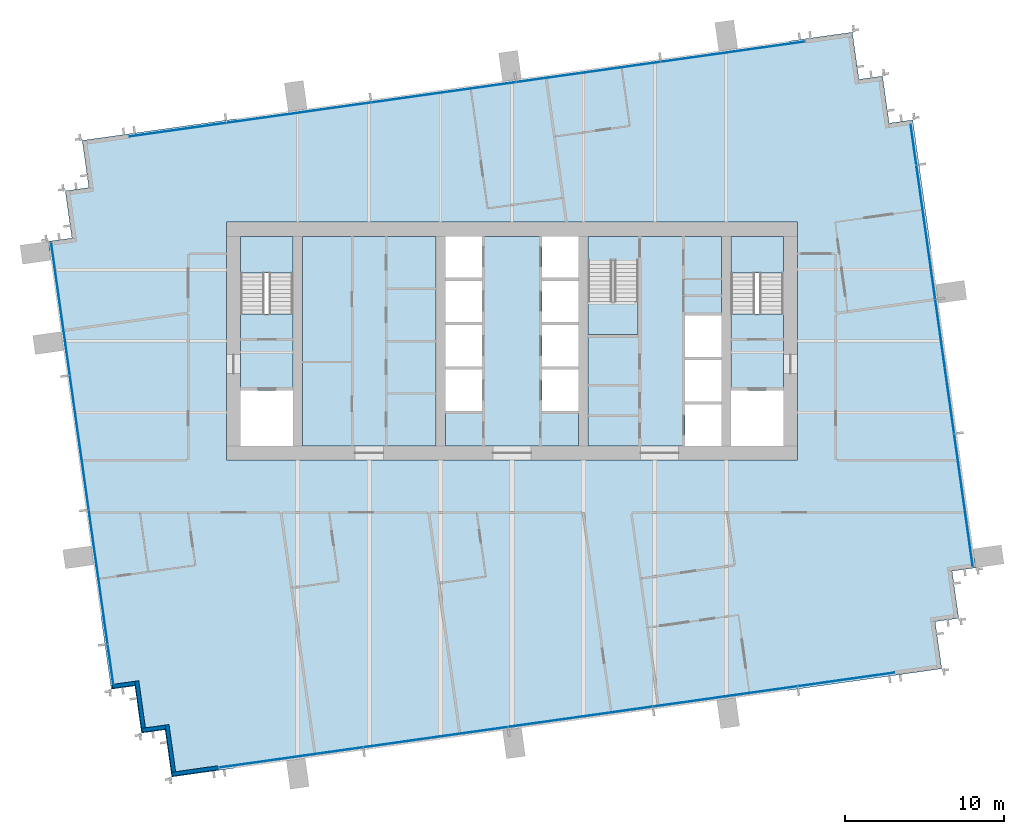
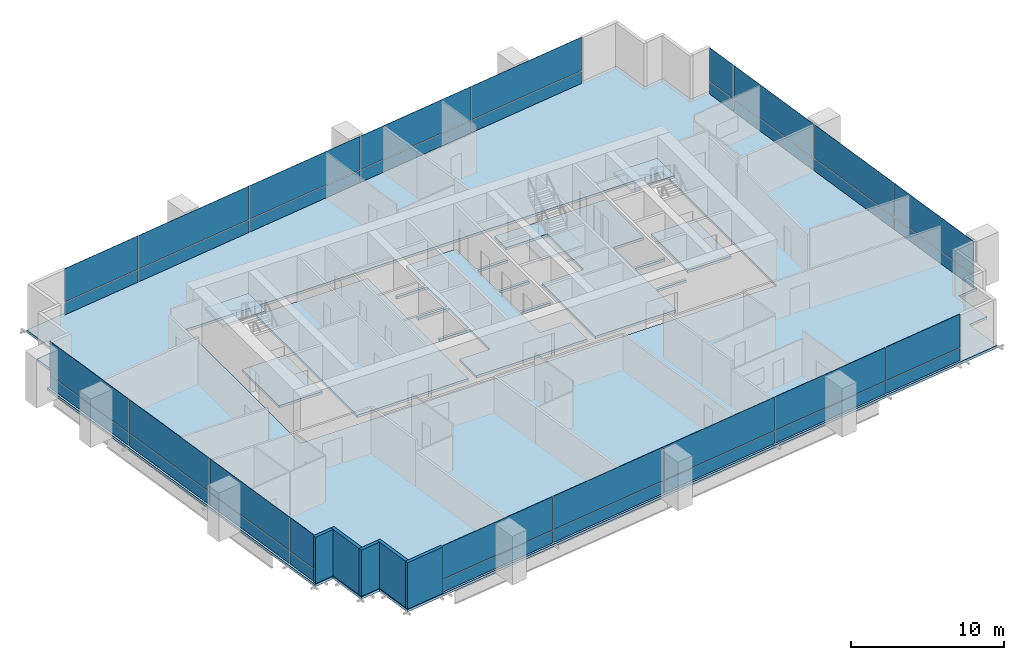
# One storey, part 8 of 14: 36 plates, 9 slabs, 5 walls, 7 elements without a shape of their own.
"""IFC4 building model written with IfcOpenShell, lengths in metres."""

from ifc_helpers import new_model, si_unit, direction, frame, frame_2d, origin, origin_2d, place, context, subcontext, project, spatial, polyline, rectangle, outline, extrude, material, layer, layer_set, type_object, element, aggregate, save


model = new_model("IFC4")

# Units and contexts
model_context = context("Model", 3, precision=1e-05, world=origin(), true_north=direction((0.0, 1.0)))
body_context = subcontext(model_context, "Body", "Model", "MODEL_VIEW")
ifc_project = project(units=[si_unit("LENGTHUNIT", "METRE"), si_unit("AREAUNIT", "SQUARE_METRE"), si_unit("VOLUMEUNIT", "CUBIC_METRE"), si_unit("PLANEANGLEUNIT", "RADIAN"), si_unit("MASSUNIT", "GRAM", prefix="KILO")], contexts=[model_context])

# Site, building, storey
site_placement = place(None, origin())
site = spatial("IfcSite", under=ifc_project, at=site_placement, CompositionType="ELEMENT")
building_placement = place(site_placement, origin())
building = spatial("IfcBuilding", under=site, at=building_placement, Name="Rattan Terrace Tower", CompositionType="ELEMENT")
storey_placement = place(building_placement, frame((0.0, 0.0, 195.800048828125)))
storey = spatial("IfcBuildingStorey", under=building, at=storey_placement, Name="L45", CompositionType="ELEMENT", Elevation=195.800048828125)

# Stair, slab
ifc_material_1 = material(Name="Concrete C40/50", Category="concrete")
stair_type = type_object("IfcStairType", Name="Core exit stair 1500", PredefinedType="HALF_TURN_STAIR", material=ifc_material_1)
stair_1_placement = place(storey_placement, origin())
stair_1 = element("IfcStair", 1, at=stair_1_placement, inside=storey, type_object=stair_type, Name="L45 exit stair 1", PredefinedType="HALF_TURN_STAIR")
ifc_material_2 = material(Name="Concrete C40/50", Category="concrete")
ifc_layer_1 = layer(ifc_material_2, 0.199951171875)
ifc_layer_set_1 = layer_set([ifc_layer_1], Name="Core exit stair landing")
slab_type_1 = type_object("IfcSlabType", Name="Core exit stair landing", PredefinedType="LANDING", material=ifc_layer_set_1)
slab_1_placement = place(storey_placement, frame((0.0, 0.0, 1.75)))
slab_1 = element("IfcSlab", 2, at=slab_1_placement, type_object=slab_type_1, Name="S1 landing 1", PredefinedType="LANDING", context=body_context, shape_type="SweptSolid", body=[
    extrude(outline(polyline([(-13.800048828125, 4.300048828125), (-13.800048828125, 6.60009765625), (-17.10009765625, 6.60009765625), (-17.10009765625, 4.300048828125), (-13.800048828125, 4.300048828125)])), origin(), (0.0, 0.0, 1.0), 0.199951171875),
])
aggregate(stair_1, [slab_1])

stair_2_placement = place(storey_placement, origin())
stair_2 = element("IfcStair", 3, at=stair_2_placement, inside=storey, type_object=stair_type, Name="L45 exit stair 2", PredefinedType="HALF_TURN_STAIR")
slab_2_placement = place(storey_placement, frame((0.0, 0.0, 1.75)))
slab_2 = element("IfcSlab", 4, at=slab_2_placement, type_object=slab_type_1, Name="S2 landing 1", PredefinedType="LANDING", context=body_context, shape_type="SweptSolid", body=[
    extrude(outline(polyline([(17.10009765625, 4.300048828125), (17.10009765625, 6.60009765625), (13.800048828125, 6.60009765625), (13.800048828125, 4.300048828125), (17.10009765625, 4.300048828125)])), origin(), (0.0, 0.0, 1.0), 0.199951171875),
])
aggregate(stair_2, [slab_2])

stair_3_placement = place(storey_placement, origin())
stair_3 = element("IfcStair", 5, at=stair_3_placement, inside=storey, type_object=stair_type, Name="L45 exit stair 3", PredefinedType="HALF_TURN_STAIR")
slab_3_placement = place(storey_placement, frame((0.0, 0.0, 1.75)))
slab_3 = element("IfcSlab", 6, at=slab_3_placement, type_object=slab_type_1, Name="S3 landing 1", PredefinedType="LANDING", context=body_context, shape_type="SweptSolid", body=[
    extrude(outline(polyline([(4.800048828125, 2.5), (4.800048828125, 0.39990234375), (7.949951171875, 0.39990234375), (7.949951171875, 2.5), (4.800048828125, 2.5)])), origin(), (0.0, 0.0, 1.0), 0.199951171875),
])
aggregate(stair_3, [slab_3])

# Curtain wall, plates
ifc_material_3 = material(Name="Aluminium and glass", Category="aluminium")
curtain_wall_type = type_object("IfcCurtainWallType", Name="Facade Unitised Curtain Wall", PredefinedType="NOTDEFINED", material=ifc_material_3)
curtain_wall_1_placement = place(storey_placement, origin())
curtain_wall_1 = element("IfcCurtainWall", 7, at=curtain_wall_1_placement, inside=storey, type_object=curtain_wall_type, Name="Curtain wall L45-1", PredefinedType="NOTDEFINED")
ifc_material_4 = material(Name="Aluminium insulated spandrel panel", Category="aluminium")
ifc_layer_2 = layer(ifc_material_4, 0.028076171875)
ifc_layer_set_2 = layer_set([ifc_layer_2], Name="Facade CW Spandrel Panel")
plate_type_1 = type_object("IfcPlateType", Name="Facade CW Spandrel Panel", PredefinedType="CURTAIN_PANEL", material=ifc_layer_set_2)
plate_1_placement = place(storey_placement, frame((28.447509765625, -10.037109375, 0.0), z_axis=(0.0, 0.0, 1.0), x_axis=(-0.139190856006, 0.99026557327, 0.0)))
plate_1 = element("IfcPlate", 8, at=plate_1_placement, type_object=plate_type_1, Name="Panel cwl-L45-001.1.1", PredefinedType="CURTAIN_PANEL", context=body_context, shape_type="SweptSolid", body=[
    extrude(rectangle(XDim=8.4150390625, YDim=0.028076171875, at=origin_2d()), origin(), (0.0, 0.0, 1.0), 0.969970703125),
])
plate_2_placement = place(storey_placement, frame((27.262451171875, -1.607421875, 0.0), z_axis=(0.0, 0.0, 1.0), x_axis=(-0.139190856006, 0.99026557327, 0.0)))
plate_2 = element("IfcPlate", 9, at=plate_2_placement, type_object=plate_type_1, Name="Panel cwl-L45-001.2.1", PredefinedType="CURTAIN_PANEL", context=body_context, shape_type="SweptSolid", body=[
    extrude(rectangle(XDim=8.489990234375, YDim=0.028076171875, at=origin_2d()), origin(), (0.0, 0.0, 1.0), 0.969970703125),
])
plate_3_placement = place(storey_placement, frame((26.072509765625, 6.859375, 0.0), z_axis=(0.0, 0.0, 1.0), x_axis=(-0.139190856006, 0.99026557327, 0.0)))
plate_3 = element("IfcPlate", 10, at=plate_3_placement, type_object=plate_type_1, Name="Panel cwl-L45-001.3.1", PredefinedType="CURTAIN_PANEL", context=body_context, shape_type="SweptSolid", body=[
    extrude(rectangle(XDim=8.489990234375, YDim=0.028076171875, at=origin_2d()), origin(), (0.0, 0.0, 1.0), 0.969970703125),
])
plate_4_placement = place(storey_placement, frame((25.29736328125, 12.372802734375, 0.0), z_axis=(0.0, 0.0, 1.0), x_axis=(-0.139190856006, 0.99026557327, 0.0)))
plate_4 = element("IfcPlate", 11, at=plate_4_placement, type_object=plate_type_1, Name="Panel cwl-L45-001.4.1", PredefinedType="CURTAIN_PANEL", context=body_context, shape_type="SweptSolid", body=[
    extrude(rectangle(XDim=2.525390625, YDim=0.028076171875, at=origin_2d()), origin(), (0.0, 0.0, 1.0), 0.969970703125),
])

curtain_wall_2_placement = place(storey_placement, origin())
curtain_wall_2 = element("IfcCurtainWall", 12, at=curtain_wall_2_placement, inside=storey, type_object=curtain_wall_type, Name="Curtain wall L45-2", PredefinedType="NOTDEFINED")
plate_5_placement = place(storey_placement, frame((13.920166015625, 18.233642578125, 0.0), z_axis=(0.0, 0.0, 1.0), x_axis=(-0.990269702686, -0.139161474347, 0.0)))
plate_5 = element("IfcPlate", 13, at=plate_5_placement, type_object=plate_type_1, Name="Panel cwl-L45-002.1.1", PredefinedType="CURTAIN_PANEL", context=body_context, shape_type="SweptSolid", body=[
    extrude(rectangle(XDim=9.123046875, YDim=0.028076171875, at=origin_2d()), origin(), (0.0, 0.0, 1.0), 0.969970703125),
])
plate_6_placement = place(storey_placement, frame((4.8115234375, 16.95361328125, 0.0), z_axis=(0.0, 0.0, 1.0), x_axis=(-0.990269702686, -0.139161474347, 0.0)))
plate_6 = element("IfcPlate", 14, at=plate_6_placement, type_object=plate_type_1, Name="Panel cwl-L45-002.2.1", PredefinedType="CURTAIN_PANEL", context=body_context, shape_type="SweptSolid", body=[
    extrude(rectangle(XDim=9.153076171875, YDim=0.028076171875, at=origin_2d()), origin(), (0.0, 0.0, 1.0), 0.969970703125),
])
plate_7_placement = place(storey_placement, frame((-4.311767578125, 15.67138671875, 0.0), z_axis=(0.0, 0.0, 1.0), x_axis=(-0.990269702686, -0.139161474347, 0.0)))
plate_7 = element("IfcPlate", 15, at=plate_7_placement, type_object=plate_type_1, Name="Panel cwl-L45-002.3.1", PredefinedType="CURTAIN_PANEL", context=body_context, shape_type="SweptSolid", body=[
    extrude(rectangle(XDim=9.153076171875, YDim=0.028076171875, at=origin_2d()), origin(), (0.0, 0.0, 1.0), 0.969970703125),
])
plate_8_placement = place(storey_placement, frame((-13.43505859375, 14.389404296875, 0.0), z_axis=(0.0, 0.0, 1.0), x_axis=(-0.990269702686, -0.139161474347, 0.0)))
plate_8 = element("IfcPlate", 16, at=plate_8_placement, type_object=plate_type_1, Name="Panel cwl-L45-002.4.1", PredefinedType="CURTAIN_PANEL", context=body_context, shape_type="SweptSolid", body=[
    extrude(rectangle(XDim=9.153076171875, YDim=0.028076171875, at=origin_2d()), origin(), (0.0, 0.0, 1.0), 0.969970703125),
])
plate_9_placement = place(storey_placement, frame((-21.055908203125, 13.318359375, 0.0), z_axis=(0.0, 0.0, 1.0), x_axis=(-0.990269702686, -0.139161474347, 0.0)))
plate_9 = element("IfcPlate", 17, at=plate_9_placement, type_object=plate_type_1, Name="Panel cwl-L45-002.5.1", PredefinedType="CURTAIN_PANEL", context=body_context, shape_type="SweptSolid", body=[
    extrude(rectangle(XDim=6.118408203125, YDim=0.028076171875, at=origin_2d()), origin(), (0.0, 0.0, 1.0), 0.969970703125),
])

curtain_wall_3_placement = place(storey_placement, origin())
curtain_wall_3 = element("IfcCurtainWall", 18, at=curtain_wall_3_placement, inside=storey, type_object=curtain_wall_type, Name="Curtain wall L45-3", PredefinedType="NOTDEFINED")
plate_10_placement = place(storey_placement, frame((-28.447509765625, 2.037109375, 0.0), z_axis=(0.0, 0.0, 1.0), x_axis=(0.139190856006, -0.99026557327, 0.0)))
plate_10 = element("IfcPlate", 19, at=plate_10_placement, type_object=plate_type_1, Name="Panel cwl-L45-003.1.1", PredefinedType="CURTAIN_PANEL", context=body_context, shape_type="SweptSolid", body=[
    extrude(rectangle(XDim=8.4150390625, YDim=0.028076171875, at=origin_2d()), origin(), (0.0, 0.0, 1.0), 0.969970703125),
])
plate_11_placement = place(storey_placement, frame((-27.262451171875, -6.392578125, 0.0), z_axis=(0.0, 0.0, 1.0), x_axis=(0.139190856006, -0.99026557327, 0.0)))
plate_11 = element("IfcPlate", 20, at=plate_11_placement, type_object=plate_type_1, Name="Panel cwl-L45-003.2.1", PredefinedType="CURTAIN_PANEL", context=body_context, shape_type="SweptSolid", body=[
    extrude(rectangle(XDim=8.489990234375, YDim=0.028076171875, at=origin_2d()), origin(), (0.0, 0.0, 1.0), 0.969970703125),
])
plate_12_placement = place(storey_placement, frame((-26.072509765625, -14.859375, 0.0), z_axis=(0.0, 0.0, 1.0), x_axis=(0.139190856006, -0.99026557327, 0.0)))
plate_12 = element("IfcPlate", 21, at=plate_12_placement, type_object=plate_type_1, Name="Panel cwl-L45-003.3.1", PredefinedType="CURTAIN_PANEL", context=body_context, shape_type="SweptSolid", body=[
    extrude(rectangle(XDim=8.489990234375, YDim=0.028076171875, at=origin_2d()), origin(), (0.0, 0.0, 1.0), 0.969970703125),
])
plate_13_placement = place(storey_placement, frame((-26.072509765625, -14.859375, 1.030029296875), z_axis=(0.0, 0.0, 1.0), x_axis=(0.139190856006, -0.99026557327, 0.0)))
plate_13 = element("IfcPlate", 22, at=plate_13_placement, type_object=plate_type_1, Name="Panel cwl-L45-003.3.2", PredefinedType="CURTAIN_PANEL", context=body_context, shape_type="SweptSolid", body=[
    extrude(rectangle(XDim=8.489990234375, YDim=0.028076171875, at=origin_2d()), origin(), (0.0, 0.0, 1.0), 2.669921875),
])
plate_14_placement = place(storey_placement, frame((-25.29736328125, -20.372802734375, 0.0), z_axis=(0.0, 0.0, 1.0), x_axis=(0.139190856006, -0.99026557327, 0.0)))
plate_14 = element("IfcPlate", 23, at=plate_14_placement, type_object=plate_type_1, Name="Panel cwl-L45-003.4.1", PredefinedType="CURTAIN_PANEL", context=body_context, shape_type="SweptSolid", body=[
    extrude(rectangle(XDim=2.525390625, YDim=0.028076171875, at=origin_2d()), origin(), (0.0, 0.0, 1.0), 0.969970703125),
])

curtain_wall_4_placement = place(storey_placement, origin())
curtain_wall_4 = element("IfcCurtainWall", 24, at=curtain_wall_4_placement, inside=storey, type_object=curtain_wall_type, Name="Curtain wall L45-4", PredefinedType="NOTDEFINED")
plate_15_placement = place(storey_placement, frame((-13.920166015625, -26.233642578125, 0.0), z_axis=(0.0, 0.0, 1.0), x_axis=(0.990269702686, 0.139161474347, 0.0)))
plate_15 = element("IfcPlate", 25, at=plate_15_placement, type_object=plate_type_1, Name="Panel cwl-L45-004.1.1", PredefinedType="CURTAIN_PANEL", context=body_context, shape_type="SweptSolid", body=[
    extrude(rectangle(XDim=9.123046875, YDim=0.028076171875, at=origin_2d()), origin(), (0.0, 0.0, 1.0), 0.969970703125),
])
plate_16_placement = place(storey_placement, frame((-4.8115234375, -24.95361328125, 0.0), z_axis=(0.0, 0.0, 1.0), x_axis=(0.990269702686, 0.139161474347, 0.0)))
plate_16 = element("IfcPlate", 26, at=plate_16_placement, type_object=plate_type_1, Name="Panel cwl-L45-004.2.1", PredefinedType="CURTAIN_PANEL", context=body_context, shape_type="SweptSolid", body=[
    extrude(rectangle(XDim=9.153076171875, YDim=0.028076171875, at=origin_2d()), origin(), (0.0, 0.0, 1.0), 0.969970703125),
])
plate_17_placement = place(storey_placement, frame((4.311767578125, -23.67138671875, 0.0), z_axis=(0.0, 0.0, 1.0), x_axis=(0.990269702686, 0.139161474347, 0.0)))
plate_17 = element("IfcPlate", 27, at=plate_17_placement, type_object=plate_type_1, Name="Panel cwl-L45-004.3.1", PredefinedType="CURTAIN_PANEL", context=body_context, shape_type="SweptSolid", body=[
    extrude(rectangle(XDim=9.153076171875, YDim=0.028076171875, at=origin_2d()), origin(), (0.0, 0.0, 1.0), 0.969970703125),
])
plate_18_placement = place(storey_placement, frame((13.43505859375, -22.389404296875, 0.0), z_axis=(0.0, 0.0, 1.0), x_axis=(0.990269702686, 0.139161474347, 0.0)))
plate_18 = element("IfcPlate", 28, at=plate_18_placement, type_object=plate_type_1, Name="Panel cwl-L45-004.4.1", PredefinedType="CURTAIN_PANEL", context=body_context, shape_type="SweptSolid", body=[
    extrude(rectangle(XDim=9.153076171875, YDim=0.028076171875, at=origin_2d()), origin(), (0.0, 0.0, 1.0), 0.969970703125),
])
plate_19_placement = place(storey_placement, frame((21.055908203125, -21.318359375, 0.0), z_axis=(0.0, 0.0, 1.0), x_axis=(0.990269702686, 0.139161474347, 0.0)))
plate_19 = element("IfcPlate", 29, at=plate_19_placement, type_object=plate_type_1, Name="Panel cwl-L45-004.5.1", PredefinedType="CURTAIN_PANEL", context=body_context, shape_type="SweptSolid", body=[
    extrude(rectangle(XDim=6.118408203125, YDim=0.028076171875, at=origin_2d()), origin(), (0.0, 0.0, 1.0), 0.969970703125),
])

# Plate
ifc_material_5 = material(Name="Clear low-iron glass", Category="glass")
ifc_layer_3 = layer(ifc_material_5, 0.028076171875)
ifc_layer_set_3 = layer_set([ifc_layer_3], Name="Facade CW Vision Panel")
plate_type_2 = type_object("IfcPlateType", Name="Facade CW Vision Panel", PredefinedType="CURTAIN_PANEL", material=ifc_layer_set_3)
plate_20_placement = place(storey_placement, frame((28.447509765625, -10.037109375, 1.030029296875), z_axis=(0.0, 0.0, 1.0), x_axis=(-0.139190856006, 0.99026557327, 0.0)))
plate_20 = element("IfcPlate", 30, at=plate_20_placement, type_object=plate_type_2, Name="Panel cwl-L45-001.1.2", PredefinedType="CURTAIN_PANEL", context=body_context, shape_type="SweptSolid", body=[
    extrude(rectangle(XDim=8.4150390625, YDim=0.028076171875, at=origin_2d()), origin(), (0.0, 0.0, 1.0), 2.669921875),
])

plate_21_placement = place(storey_placement, frame((27.262451171875, -1.607421875, 1.030029296875), z_axis=(0.0, 0.0, 1.0), x_axis=(-0.139190856006, 0.99026557327, 0.0)))
plate_21 = element("IfcPlate", 31, at=plate_21_placement, type_object=plate_type_2, Name="Panel cwl-L45-001.2.2", PredefinedType="CURTAIN_PANEL", context=body_context, shape_type="SweptSolid", body=[
    extrude(rectangle(XDim=8.489990234375, YDim=0.028076171875, at=origin_2d()), origin(), (0.0, 0.0, 1.0), 2.669921875),
])

plate_22_placement = place(storey_placement, frame((26.072509765625, 6.859375, 1.030029296875), z_axis=(0.0, 0.0, 1.0), x_axis=(-0.139190856006, 0.99026557327, 0.0)))
plate_22 = element("IfcPlate", 32, at=plate_22_placement, type_object=plate_type_2, Name="Panel cwl-L45-001.3.2", PredefinedType="CURTAIN_PANEL", context=body_context, shape_type="SweptSolid", body=[
    extrude(rectangle(XDim=8.489990234375, YDim=0.028076171875, at=origin_2d()), origin(), (0.0, 0.0, 1.0), 2.669921875),
])

plate_23_placement = place(storey_placement, frame((25.29736328125, 12.372802734375, 1.030029296875), z_axis=(0.0, 0.0, 1.0), x_axis=(-0.139190856006, 0.99026557327, 0.0)))
plate_23 = element("IfcPlate", 33, at=plate_23_placement, type_object=plate_type_2, Name="Panel cwl-L45-001.4.2", PredefinedType="CURTAIN_PANEL", context=body_context, shape_type="SweptSolid", body=[
    extrude(rectangle(XDim=2.525390625, YDim=0.028076171875, at=origin_2d()), origin(), (0.0, 0.0, 1.0), 2.669921875),
])

aggregate(curtain_wall_1, [plate_1, plate_20, plate_2, plate_21, plate_3, plate_22, plate_4, plate_23])

plate_24_placement = place(storey_placement, frame((13.920166015625, 18.233642578125, 1.030029296875), z_axis=(0.0, 0.0, 1.0), x_axis=(-0.990269702686, -0.139161474347, 0.0)))
plate_24 = element("IfcPlate", 34, at=plate_24_placement, type_object=plate_type_2, Name="Panel cwl-L45-002.1.2", PredefinedType="CURTAIN_PANEL", context=body_context, shape_type="SweptSolid", body=[
    extrude(rectangle(XDim=9.123046875, YDim=0.028076171875, at=origin_2d()), origin(), (0.0, 0.0, 1.0), 2.669921875),
])

plate_25_placement = place(storey_placement, frame((4.8115234375, 16.95361328125, 1.030029296875), z_axis=(0.0, 0.0, 1.0), x_axis=(-0.990269702686, -0.139161474347, 0.0)))
plate_25 = element("IfcPlate", 35, at=plate_25_placement, type_object=plate_type_2, Name="Panel cwl-L45-002.2.2", PredefinedType="CURTAIN_PANEL", context=body_context, shape_type="SweptSolid", body=[
    extrude(rectangle(XDim=9.153076171875, YDim=0.028076171875, at=origin_2d()), origin(), (0.0, 0.0, 1.0), 2.669921875),
])

plate_26_placement = place(storey_placement, frame((-4.311767578125, 15.67138671875, 1.030029296875), z_axis=(0.0, 0.0, 1.0), x_axis=(-0.990269702686, -0.139161474347, 0.0)))
plate_26 = element("IfcPlate", 36, at=plate_26_placement, type_object=plate_type_2, Name="Panel cwl-L45-002.3.2", PredefinedType="CURTAIN_PANEL", context=body_context, shape_type="SweptSolid", body=[
    extrude(rectangle(XDim=9.153076171875, YDim=0.028076171875, at=origin_2d()), origin(), (0.0, 0.0, 1.0), 2.669921875),
])

plate_27_placement = place(storey_placement, frame((-13.43505859375, 14.389404296875, 1.030029296875), z_axis=(0.0, 0.0, 1.0), x_axis=(-0.990269702686, -0.139161474347, 0.0)))
plate_27 = element("IfcPlate", 37, at=plate_27_placement, type_object=plate_type_2, Name="Panel cwl-L45-002.4.2", PredefinedType="CURTAIN_PANEL", context=body_context, shape_type="SweptSolid", body=[
    extrude(rectangle(XDim=9.153076171875, YDim=0.028076171875, at=origin_2d()), origin(), (0.0, 0.0, 1.0), 2.669921875),
])

plate_28_placement = place(storey_placement, frame((-21.055908203125, 13.318359375, 1.030029296875), z_axis=(0.0, 0.0, 1.0), x_axis=(-0.990269702686, -0.139161474347, 0.0)))
plate_28 = element("IfcPlate", 38, at=plate_28_placement, type_object=plate_type_2, Name="Panel cwl-L45-002.5.2", PredefinedType="CURTAIN_PANEL", context=body_context, shape_type="SweptSolid", body=[
    extrude(rectangle(XDim=6.118408203125, YDim=0.028076171875, at=origin_2d()), origin(), (0.0, 0.0, 1.0), 2.669921875),
])

aggregate(curtain_wall_2, [plate_5, plate_24, plate_6, plate_25, plate_7, plate_26, plate_8, plate_27, plate_9, plate_28])

plate_29_placement = place(storey_placement, frame((-28.447509765625, 2.037109375, 1.030029296875), z_axis=(0.0, 0.0, 1.0), x_axis=(0.139190856006, -0.99026557327, 0.0)))
plate_29 = element("IfcPlate", 39, at=plate_29_placement, type_object=plate_type_2, Name="Panel cwl-L45-003.1.2", PredefinedType="CURTAIN_PANEL", context=body_context, shape_type="SweptSolid", body=[
    extrude(rectangle(XDim=8.4150390625, YDim=0.028076171875, at=origin_2d()), origin(), (0.0, 0.0, 1.0), 2.669921875),
])

plate_30_placement = place(storey_placement, frame((-27.262451171875, -6.392578125, 1.030029296875), z_axis=(0.0, 0.0, 1.0), x_axis=(0.139190856006, -0.99026557327, 0.0)))
plate_30 = element("IfcPlate", 40, at=plate_30_placement, type_object=plate_type_2, Name="Panel cwl-L45-003.2.2", PredefinedType="CURTAIN_PANEL", context=body_context, shape_type="SweptSolid", body=[
    extrude(rectangle(XDim=8.489990234375, YDim=0.028076171875, at=origin_2d()), origin(), (0.0, 0.0, 1.0), 2.669921875),
])

plate_31_placement = place(storey_placement, frame((-25.29736328125, -20.372802734375, 1.030029296875), z_axis=(0.0, 0.0, 1.0), x_axis=(0.139190856006, -0.99026557327, 0.0)))
plate_31 = element("IfcPlate", 41, at=plate_31_placement, type_object=plate_type_2, Name="Panel cwl-L45-003.4.2", PredefinedType="CURTAIN_PANEL", context=body_context, shape_type="SweptSolid", body=[
    extrude(rectangle(XDim=2.525390625, YDim=0.028076171875, at=origin_2d()), origin(), (0.0, 0.0, 1.0), 2.669921875),
])

aggregate(curtain_wall_3, [plate_10, plate_29, plate_11, plate_30, plate_12, plate_13, plate_14, plate_31])

plate_32_placement = place(storey_placement, frame((-13.920166015625, -26.233642578125, 1.030029296875), z_axis=(0.0, 0.0, 1.0), x_axis=(0.990269702686, 0.139161474347, 0.0)))
plate_32 = element("IfcPlate", 42, at=plate_32_placement, type_object=plate_type_2, Name="Panel cwl-L45-004.1.2", PredefinedType="CURTAIN_PANEL", context=body_context, shape_type="SweptSolid", body=[
    extrude(rectangle(XDim=9.123046875, YDim=0.028076171875, at=origin_2d()), origin(), (0.0, 0.0, 1.0), 2.669921875),
])

plate_33_placement = place(storey_placement, frame((-4.8115234375, -24.95361328125, 1.030029296875), z_axis=(0.0, 0.0, 1.0), x_axis=(0.990269702686, 0.139161474347, 0.0)))
plate_33 = element("IfcPlate", 43, at=plate_33_placement, type_object=plate_type_2, Name="Panel cwl-L45-004.2.2", PredefinedType="CURTAIN_PANEL", context=body_context, shape_type="SweptSolid", body=[
    extrude(rectangle(XDim=9.153076171875, YDim=0.028076171875, at=origin_2d()), origin(), (0.0, 0.0, 1.0), 2.669921875),
])

plate_34_placement = place(storey_placement, frame((4.311767578125, -23.67138671875, 1.030029296875), z_axis=(0.0, 0.0, 1.0), x_axis=(0.990269702686, 0.139161474347, 0.0)))
plate_34 = element("IfcPlate", 44, at=plate_34_placement, type_object=plate_type_2, Name="Panel cwl-L45-004.3.2", PredefinedType="CURTAIN_PANEL", context=body_context, shape_type="SweptSolid", body=[
    extrude(rectangle(XDim=9.153076171875, YDim=0.028076171875, at=origin_2d()), origin(), (0.0, 0.0, 1.0), 2.669921875),
])

plate_35_placement = place(storey_placement, frame((13.43505859375, -22.389404296875, 1.030029296875), z_axis=(0.0, 0.0, 1.0), x_axis=(0.990269702686, 0.139161474347, 0.0)))
plate_35 = element("IfcPlate", 45, at=plate_35_placement, type_object=plate_type_2, Name="Panel cwl-L45-004.4.2", PredefinedType="CURTAIN_PANEL", context=body_context, shape_type="SweptSolid", body=[
    extrude(rectangle(XDim=9.153076171875, YDim=0.028076171875, at=origin_2d()), origin(), (0.0, 0.0, 1.0), 2.669921875),
])

plate_36_placement = place(storey_placement, frame((21.055908203125, -21.318359375, 1.030029296875), z_axis=(0.0, 0.0, 1.0), x_axis=(0.990269702686, 0.139161474347, 0.0)))
plate_36 = element("IfcPlate", 46, at=plate_36_placement, type_object=plate_type_2, Name="Panel cwl-L45-004.5.2", PredefinedType="CURTAIN_PANEL", context=body_context, shape_type="SweptSolid", body=[
    extrude(rectangle(XDim=6.118408203125, YDim=0.028076171875, at=origin_2d()), origin(), (0.0, 0.0, 1.0), 2.669921875),
])

aggregate(curtain_wall_4, [plate_15, plate_32, plate_16, plate_33, plate_17, plate_34, plate_18, plate_35, plate_19, plate_36])

# Slabs
ifc_material_6 = material(Name="Concrete C35/45", Category="concrete")
ifc_layer_4 = layer(ifc_material_6, 0.199951171875)
ifc_layer_set_4 = layer_set([ifc_layer_4], Name="Frame composite floor slab 200")
slab_type_2 = type_object("IfcSlabType", Name="Frame composite floor slab 200", PredefinedType="FLOOR", material=ifc_layer_set_4)
slab_4_placement = place(storey_placement, frame((0.0, 0.0, -0.199951171875)))
element("IfcSlab", 47, at=slab_4_placement, inside=storey, type_object=slab_type_2, Name="Floor slab", PredefinedType="FLOOR", context=body_context, shape_type="SweptSolid", body=[
    extrude(outline(polyline([(-18.472900390625, -27.044921875), (24.10888671875, -21.06103515625), (27.080078125, -20.64306640625), (26.662109375, -17.672119140625), (28.14794921875, -17.464111328125), (27.72998046875, -14.492919921875), (29.216064453125, -14.283935546875), (25.2490234375, 13.93896484375), (23.763916015625, 13.72998046875), (23.345947265625, 16.700927734375), (21.861083984375, 16.491943359375), (21.443115234375, 19.462890625), (18.472900390625, 19.044921875), (-24.10888671875, 13.06103515625), (-27.080078125, 12.64306640625), (-26.662109375, 9.672119140625), (-28.14794921875, 9.464111328125), (-27.72998046875, 6.492919921875), (-29.216064453125, 6.283935546875), (-25.2490234375, -21.93896484375), (-23.763916015625, -21.72998046875), (-23.345947265625, -24.700927734375), (-21.861083984375, -24.491943359375), (-21.443115234375, -27.462890625), (-18.472900390625, -27.044921875)]), holes=[polyline([(-18.0, -7.5), (18.0, -7.5), (18.0, -6.60009765625), (18.0, 6.60009765625), (18.0, 7.5), (-18.0, 7.5), (-18.0, 6.60009765625), (-18.0, -6.60009765625), (-18.0, -7.5)])]), origin(), (0.0, 0.0, 1.0), 0.199951171875),
])
slab_5_placement = place(storey_placement, frame((0.0, 0.0, -0.199951171875)))
element("IfcSlab", 48, at=slab_5_placement, inside=storey, type_object=slab_type_2, Name="Floor slab", PredefinedType="FLOOR", context=body_context, shape_type="SweptSolid", body=[
    extrude(outline(polyline([(13.199951171875, 6.60009765625), (4.800048828125, 6.60009765625), (4.800048828125, 5.090087890625), (7.949951171875, 5.090087890625), (7.949951171875, 0.39990234375), (4.800048828125, 0.39990234375), (4.800048828125, -6.60009765625), (10.89990234375, -6.60009765625), (10.89990234375, -4.0), (13.199951171875, -4.0), (13.199951171875, -3.800048828125), (10.89990234375, -3.800048828125), (10.89990234375, -1.199951171875), (13.199951171875, -1.199951171875), (13.199951171875, -1.0), (10.89990234375, -1.0), (10.89990234375, 1.60009765625), (13.199951171875, 1.60009765625), (13.199951171875, 6.60009765625)])), origin(), (0.0, 0.0, 1.0), 0.199951171875),
])
slab_6_placement = place(storey_placement, frame((0.0, 0.0, -0.199951171875)))
element("IfcSlab", 49, at=slab_6_placement, inside=storey, type_object=slab_type_2, Name="Floor slab", PredefinedType="FLOOR", context=body_context, shape_type="SweptSolid", body=[
    extrude(outline(polyline([(1.89990234375, 6.60009765625), (-1.89990234375, 6.60009765625), (-1.89990234375, 4.0), (-4.199951171875, 4.0), (-4.199951171875, 3.800048828125), (-1.89990234375, 3.800048828125), (-1.89990234375, 1.199951171875), (-4.199951171875, 1.199951171875), (-4.199951171875, 1.0), (-1.89990234375, 1.0), (-1.89990234375, -1.60009765625), (-4.199951171875, -1.60009765625), (-4.199951171875, -1.800048828125), (-1.89990234375, -1.800048828125), (-1.89990234375, -4.39990234375), (-4.199951171875, -4.39990234375), (-4.199951171875, -6.60009765625), (4.199951171875, -6.60009765625), (4.199951171875, -4.39990234375), (1.89990234375, -4.39990234375), (1.89990234375, -1.800048828125), (4.199951171875, -1.800048828125), (4.199951171875, -1.60009765625), (1.89990234375, -1.60009765625), (1.89990234375, 1.0), (4.199951171875, 1.0), (4.199951171875, 1.199951171875), (1.89990234375, 1.199951171875), (1.89990234375, 3.800048828125), (4.199951171875, 3.800048828125), (4.199951171875, 4.0), (1.89990234375, 4.0), (1.89990234375, 6.60009765625)])), origin(), (0.0, 0.0, 1.0), 0.199951171875),
])
slab_7_placement = place(storey_placement, frame((0.0, 0.0, -0.199951171875)))
element("IfcSlab", 50, at=slab_7_placement, inside=storey, type_object=slab_type_2, Name="Floor slab", PredefinedType="FLOOR", context=body_context, shape_type="SweptSolid", body=[
    extrude(outline(polyline([(-17.10009765625, -3.10009765625), (-13.800048828125, -3.10009765625), (-13.800048828125, 1.7099609375), (-17.10009765625, 1.7099609375), (-17.10009765625, -3.10009765625)])), origin(), (0.0, 0.0, 1.0), 0.199951171875),
])
slab_8_placement = place(storey_placement, frame((0.0, 0.0, -0.199951171875)))
element("IfcSlab", 51, at=slab_8_placement, inside=storey, type_object=slab_type_2, Name="Floor slab", PredefinedType="FLOOR", context=body_context, shape_type="SweptSolid", body=[
    extrude(outline(polyline([(-4.800048828125, -6.60009765625), (-4.800048828125, 6.60009765625), (-13.199951171875, 6.60009765625), (-13.199951171875, -6.60009765625), (-4.800048828125, -6.60009765625)])), origin(), (0.0, 0.0, 1.0), 0.199951171875),
])
slab_9_placement = place(storey_placement, frame((0.0, 0.0, -0.199951171875)))
element("IfcSlab", 52, at=slab_9_placement, inside=storey, type_object=slab_type_2, Name="Floor slab", PredefinedType="FLOOR", context=body_context, shape_type="SweptSolid", body=[
    extrude(outline(polyline([(13.800048828125, -3.10009765625), (17.10009765625, -3.10009765625), (17.10009765625, 1.7099609375), (13.800048828125, 1.7099609375), (13.800048828125, -3.10009765625)])), origin(), (0.0, 0.0, 1.0), 0.199951171875),
])

# Walls
ifc_material_7 = material(Name="Insulated aluminium-clad stud wall", Category="aluminium")
ifc_layer_5 = layer(ifc_material_7, 0.25)
ifc_layer_set_5 = layer_set([ifc_layer_5], Name="Facade Riser Wall 250")
wall_type = type_object("IfcWallType", Name="Facade Riser Wall 250", PredefinedType="SOLIDWALL", material=ifc_layer_set_5)
wall_1_placement = place(storey_placement, frame((-25.18359375, -21.758056640625, 0.0), z_axis=(0.0, 0.0, 1.0), x_axis=(0.9902493448, 0.13930626376, 0.0)))
element("IfcWall", 53, at=wall_1_placement, inside=storey, type_object=wall_type, Name="Riser wall L45-16", PredefinedType="SOLIDWALL", context=body_context, shape_type="SweptSolid", body=[
    extrude(rectangle(XDim=1.45458984375, YDim=0.25, at=frame_2d((0.727294921875, 0.0))), origin(), (0.0, 0.0, 1.0), 3.699951171875),
])
wall_2_placement = place(storey_placement, frame((-23.63671875, -21.414306640625, 0.0), z_axis=(0.0, 0.0, 1.0), x_axis=(0.139313431826, -0.990248336385, 0.0)))
element("IfcWall", 54, at=wall_2_placement, inside=storey, type_object=wall_type, Name="Riser wall L45-17", PredefinedType="SOLIDWALL", context=body_context, shape_type="SweptSolid", body=[
    extrude(rectangle(XDim=3.000244140625, YDim=0.25, at=frame_2d((1.5, 0.0))), origin(), (0.0, 0.0, 1.0), 3.699951171875),
])
wall_3_placement = place(storey_placement, frame((-23.3251953125, -24.5263671875, 0.0), z_axis=(0.0, 0.0, 1.0), x_axis=(0.990243596651, 0.13934711799, 0.0)))
element("IfcWall", 55, at=wall_3_placement, inside=storey, type_object=wall_type, Name="Riser wall L45-18", PredefinedType="SOLIDWALL", context=body_context, shape_type="SweptSolid", body=[
    extrude(rectangle(XDim=1.499755859375, YDim=0.25, at=frame_2d((0.75, 0.0))), origin(), (0.0, 0.0, 1.0), 3.699951171875),
])
wall_4_placement = place(storey_placement, frame((-21.733642578125, -24.17626953125, 0.0), z_axis=(0.0, 0.0, 1.0), x_axis=(0.139313431826, -0.990248336385, 0.0)))
element("IfcWall", 56, at=wall_4_placement, inside=storey, type_object=wall_type, Name="Riser wall L45-19", PredefinedType="SOLIDWALL", context=body_context, shape_type="SweptSolid", body=[
    extrude(rectangle(XDim=3.000244140625, YDim=0.25, at=frame_2d((1.5, 0.0))), origin(), (0.0, 0.0, 1.0), 3.699951171875),
])
wall_5_placement = place(storey_placement, frame((-21.422119140625, -27.288330078125, 0.0), z_axis=(0.0, 0.0, 1.0), x_axis=(0.990246427036, 0.139327002919, 0.0)))
element("IfcWall", 57, at=wall_5_placement, inside=storey, type_object=wall_type, Name="Riser wall L45-20", PredefinedType="SOLIDWALL", context=body_context, shape_type="SweptSolid", body=[
    extrude(rectangle(XDim=2.954345703125, YDim=0.25, at=frame_2d((1.47705078125, 0.0))), origin(), (0.0, 0.0, 1.0), 3.699951171875),
])

save(model, "model.ifc")
